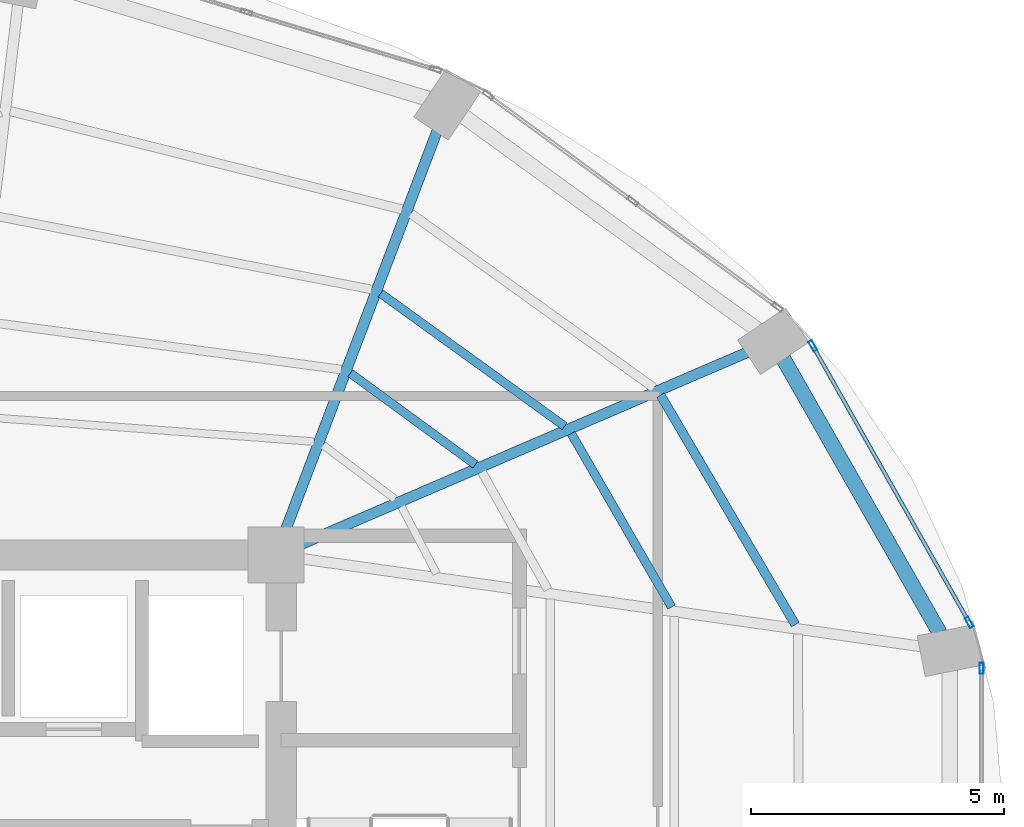
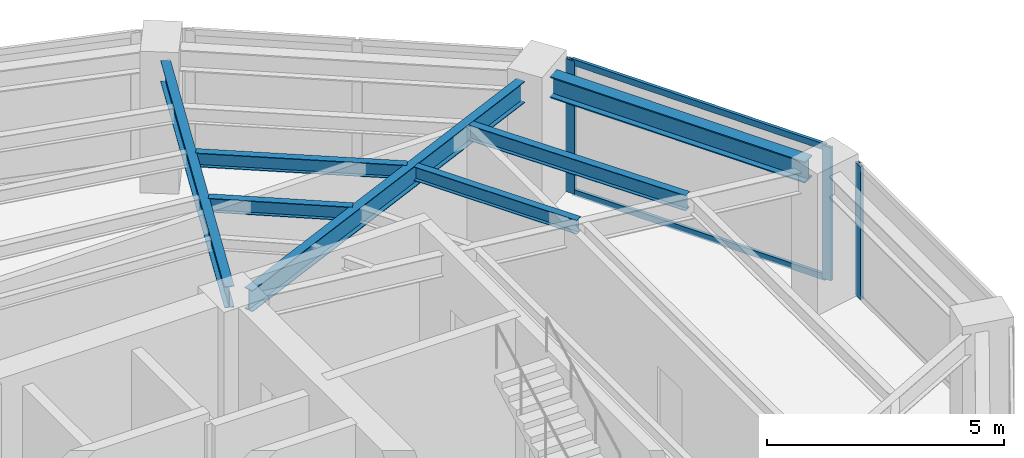
# One storey, part 11 of 20: 7 beams, 5 members, 2 elements without a shape of their own.
"""IFC4 building model written with IfcOpenShell, lengths in metres."""

from ifc_helpers import new_model, si_unit, direction, frame, origin, origin_2d, place, context, subcontext, project, spatial, hollow_rectangle, i_section, extrude, material, layer, layer_set, material_profile, profile_set, type_object, element, aggregate, save


model = new_model("IFC4")

# Units and contexts
model_context = context("Model", 3, precision=1e-05, world=origin(), true_north=direction((0.0, 1.0)))
body_context = subcontext(model_context, "Body", "Model", "MODEL_VIEW")
ifc_project = project(units=[si_unit("LENGTHUNIT", "METRE"), si_unit("AREAUNIT", "SQUARE_METRE"), si_unit("VOLUMEUNIT", "CUBIC_METRE"), si_unit("PLANEANGLEUNIT", "RADIAN"), si_unit("MASSUNIT", "GRAM", prefix="KILO")], contexts=[model_context])

# Site, building, storey
site_placement = place(None, origin())
site = spatial("IfcSite", under=ifc_project, at=site_placement, CompositionType="ELEMENT")
building_placement = place(site_placement, origin())
building = spatial("IfcBuilding", under=site, at=building_placement, Name="Lazwardi Medical Tower", CompositionType="ELEMENT")
storey_placement = place(building_placement, frame((0.0, 0.0, 182.06396484375)))
storey = spatial("IfcBuildingStorey", under=building, at=storey_placement, Name="L47", CompositionType="ELEMENT", Elevation=182.06396484375)

# Beams
ifc_material_1 = material(Name="Steel S355", Category="steel")
ifc_material_profile_1 = material_profile(ifc_material_1, i_section(OverallWidth=0.300048828125, OverallDepth=0.550048828125, WebThickness=0.014892578125, FlangeThickness=0.029052734375, at=origin_2d()), Name="HEB 550")
ifc_profile_set_1 = profile_set([ifc_material_profile_1], Name="Steel S355")
beam_type_1 = type_object("IfcBeamType", Name="BM-RB-Z3", PredefinedType="BEAM", material=ifc_profile_set_1)
beam_1_placement = place(storey_placement, frame((58.727783203125, 34.05908203125, 3.153076171875), z_axis=(-0.495460926326, 0.868630226554, 0.0), x_axis=(-0.868630226554, -0.495460926326, 0.0)))
element("IfcBeam", 1, at=beam_1_placement, inside=storey, type_object=beam_type_1, Name="Ring beam RB-04 B05 L47", PredefinedType="BEAM", context=body_context, shape_type="SweptSolid", body=[
    extrude(i_section(OverallWidth=0.300048828125, OverallDepth=0.550048828125, WebThickness=0.014892578125, FlangeThickness=0.029052734375, at=origin_2d()), origin(), (0.0, 0.0, 1.0), 6.24462890625),
])
ifc_material_profile_2 = material_profile(ifc_material_1, i_section(OverallWidth=0.2099609375, OverallDepth=0.550048828125, WebThickness=0.010986328125, FlangeThickness=0.01708984375, at=origin_2d()), Name="IPE 550")
ifc_profile_set_2 = profile_set([ifc_material_profile_2], Name="Steel S355")
beam_type_2 = type_object("IfcBeamType", Name="BM-RG-W2", PredefinedType="BEAM", material=ifc_profile_set_2)
beam_2_placement = place(storey_placement, frame((54.921142578125, 39.609619140625, 3.153076171875), z_axis=(-0.918608156288, -0.395169653695, 0.0), x_axis=(0.395169653695, -0.918608156288, 0.0)))
element("IfcBeam", 2, at=beam_2_placement, inside=storey, type_object=beam_type_2, Name="Radial girder RG-03 R06 L47", PredefinedType="BEAM", context=body_context, shape_type="SweptSolid", body=[
    extrude(i_section(OverallWidth=0.2099609375, OverallDepth=0.550048828125, WebThickness=0.010986328125, FlangeThickness=0.01708984375, at=origin_2d()), origin(), (0.0, 0.0, 1.0), 9.61181640625),
])
beam_3_placement = place(storey_placement, frame((48.78759765625, 43.99072265625, 3.153076171875), z_axis=(-0.355126771712, -0.934818151307, 0.0), x_axis=(0.934818151307, -0.355126771712, 0.0)))
element("IfcBeam", 3, at=beam_3_placement, inside=storey, type_object=beam_type_2, Name="Radial girder RG-03 R07 L47", PredefinedType="BEAM", context=body_context, shape_type="SweptSolid", body=[
    extrude(i_section(OverallWidth=0.2099609375, OverallDepth=0.550048828125, WebThickness=0.010986328125, FlangeThickness=0.01708984375, at=origin_2d()), origin(), (0.0, 0.0, 1.0), 8.44091796875),
])
ifc_material_profile_3 = material_profile(ifc_material_1, i_section(OverallWidth=0.179931640625, OverallDepth=0.39990234375, WebThickness=0.008544921875, FlangeThickness=0.013427734375, at=origin_2d()), Name="IPE 400")
ifc_profile_set_3 = profile_set([ifc_material_profile_3], Name="Steel S355")
beam_type_3 = type_object("IfcBeamType", Name="BM-SJ-01", PredefinedType="JOIST", material=ifc_profile_set_3)
beam_4_placement = place(storey_placement, frame((55.872314453125, 34.223388671875, 3.22802734375), z_axis=(-0.506420212881, 0.862286824662, 0.0), x_axis=(-0.862286824662, -0.506420212881, 0.0)))
element("IfcBeam", 4, at=beam_4_placement, inside=storey, type_object=beam_type_3, Name="Secondary joist SJ-01 R1 B05 L47", PredefinedType="JOIST", context=body_context, shape_type="SweptSolid", body=[
    extrude(i_section(OverallWidth=0.179931640625, OverallDepth=0.39990234375, WebThickness=0.008544921875, FlangeThickness=0.013427734375, at=origin_2d()), origin(), (0.0, 0.0, 1.0), 5.265380859375),
])
ifc_material_profile_4 = material_profile(ifc_material_1, i_section(OverallWidth=0.169921875, OverallDepth=0.360107421875, WebThickness=0.008056640625, FlangeThickness=0.0126953125, at=origin_2d()), Name="IPE 360")
ifc_profile_set_4 = profile_set([ifc_material_profile_4], Name="Steel S355")
beam_type_4 = type_object("IfcBeamType", Name="BM-SJ-02", PredefinedType="JOIST", material=ifc_profile_set_4)
beam_5_placement = place(storey_placement, frame((53.4248046875, 34.57080078125, 3.248046875), z_axis=(-0.500640648605, 0.865655209055, 0.0), x_axis=(-0.865655209055, -0.500640648605, 0.0)))
element("IfcBeam", 5, at=beam_5_placement, inside=storey, type_object=beam_type_4, Name="Secondary joist SJ-02 R2 B05 L47", PredefinedType="JOIST", context=body_context, shape_type="SweptSolid", body=[
    extrude(i_section(OverallWidth=0.169921875, OverallDepth=0.360107421875, WebThickness=0.008056640625, FlangeThickness=0.0126953125, at=origin_2d()), origin(), (0.0, 0.0, 1.0), 3.965576171875),
])
beam_6_placement = place(storey_placement, frame((51.30810546875, 38.148681640625, 3.248046875), z_axis=(-0.810738039179, 0.585409114917, 0.0), x_axis=(-0.585409114917, -0.810738039179, 0.0)))
element("IfcBeam", 6, at=beam_6_placement, inside=storey, type_object=beam_type_4, Name="Secondary joist SJ-02 R2 B06 L47", PredefinedType="JOIST", context=body_context, shape_type="SweptSolid", body=[
    extrude(i_section(OverallWidth=0.169921875, OverallDepth=0.360107421875, WebThickness=0.008056640625, FlangeThickness=0.0126953125, at=origin_2d()), origin(), (0.0, 0.0, 1.0), 4.48779296875),
])
beam_7_placement = place(storey_placement, frame((49.54248046875, 37.3896484375, 3.248046875), z_axis=(-0.807285959008, 0.590160470033, 0.0), x_axis=(-0.590160470033, -0.807285959008, 0.0)))
element("IfcBeam", 7, at=beam_7_placement, inside=storey, type_object=beam_type_4, Name="Secondary joist SJ-02 R3 B06 L47", PredefinedType="JOIST", context=body_context, shape_type="SweptSolid", body=[
    extrude(i_section(OverallWidth=0.169921875, OverallDepth=0.360107421875, WebThickness=0.008056640625, FlangeThickness=0.0126953125, at=origin_2d()), origin(), (0.0, 0.0, 1.0), 3.06298828125),
])

# Curtain wall, member
ifc_material_2 = material(Name="Anodised bronze aluminium and solar control glazing", Category="aluminium")
ifc_layer = layer(ifc_material_2, 0.195068359375)
ifc_layer_set = layer_set([ifc_layer], Name="Anodised bronze aluminium and solar control glazing")
curtain_wall_type = type_object("IfcCurtainWallType", Name="CW-SYS-03", PredefinedType="NOTDEFINED", material=ifc_layer_set)
curtain_wall_1_placement = place(storey_placement, origin())
curtain_wall_1 = element("IfcCurtainWall", 8, at=curtain_wall_1_placement, inside=storey, type_object=curtain_wall_type, Name="L47 Unitised bronze curtain wall CW-03", PredefinedType="NOTDEFINED")
ifc_material_3 = material(Name="Anodised bronze aluminium", Category="aluminium")
ifc_material_profile_5 = material_profile(ifc_material_3, hollow_rectangle(XDim=0.074951171875, YDim=0.219970703125, WallThickness=0.00390625, at=origin_2d()), Name="ALU-MULLION 220x75x4")
ifc_profile_set_5 = profile_set([ifc_material_profile_5], Name="Anodised bronze aluminium")
member_type_1 = type_object("IfcMemberType", Name="CW-MUL-01", PredefinedType="MULLION", material=ifc_profile_set_5)
member_1_placement = place(storey_placement, frame((59.5576171875, 33.35791015625, 0.0), z_axis=(0.0, 0.0, 1.0), x_axis=(-1.0, 0.0, 0.0)))
member_1 = element("IfcMember", 9, at=member_1_placement, type_object=member_type_1, Name="CW-03 mullion 2", PredefinedType="MULLION", context=body_context, shape_type="SweptSolid", body=[
    extrude(hollow_rectangle(XDim=0.074951171875, YDim=0.219970703125, WallThickness=0.00390625, at=origin_2d()), origin(), (0.0, 0.0, 1.0), 3.427978515625),
])
aggregate(curtain_wall_1, [member_1])

# Curtain wall, members
curtain_wall_2_placement = place(storey_placement, origin())
curtain_wall_2 = element("IfcCurtainWall", 10, at=curtain_wall_2_placement, inside=storey, type_object=curtain_wall_type, Name="L47 Unitised bronze curtain wall CW-03", PredefinedType="NOTDEFINED")
member_2_placement = place(storey_placement, frame((59.31103515625, 34.267333984375, 0.0), z_axis=(0.0, 0.0, 1.0), x_axis=(-0.870418989303, -0.492311672683, 0.0)))
member_2 = element("IfcMember", 11, at=member_2_placement, type_object=member_type_1, Name="CW-03 mullion 1", PredefinedType="MULLION", context=body_context, shape_type="SweptSolid", body=[
    extrude(hollow_rectangle(XDim=0.074951171875, YDim=0.219970703125, WallThickness=0.00390625, at=origin_2d()), origin(), (0.0, 0.0, 1.0), 3.427978515625),
])
member_3_placement = place(storey_placement, frame((56.217529296875, 39.73681640625, 0.0), z_axis=(0.0, 0.0, 1.0), x_axis=(-0.870418989303, -0.492311672683, 0.0)))
member_3 = element("IfcMember", 12, at=member_3_placement, type_object=member_type_1, Name="CW-03 mullion 2", PredefinedType="MULLION", context=body_context, shape_type="SweptSolid", body=[
    extrude(hollow_rectangle(XDim=0.074951171875, YDim=0.219970703125, WallThickness=0.00390625, at=origin_2d()), origin(), (0.0, 0.0, 1.0), 3.427978515625),
])
ifc_material_profile_6 = material_profile(ifc_material_3, hollow_rectangle(XDim=0.074951171875, YDim=0.159912109375, WallThickness=0.00390625, at=origin_2d()), Name="ALU-TRANSOM 160x75x4")
ifc_profile_set_6 = profile_set([ifc_material_profile_6], Name="Anodised bronze aluminium")
member_type_2 = type_object("IfcMemberType", Name="CW-TRN-01", PredefinedType="USERDEFINED", material=ifc_profile_set_6)
member_4_placement = place(storey_placement, frame((59.292724609375, 34.2998046875, 0.03759765625), z_axis=(-0.492306010269, 0.870422191958, 0.0), x_axis=(-0.870422191958, -0.492306010269, 0.0)))
member_4 = element("IfcMember", 13, at=member_4_placement, type_object=member_type_2, Name="CW-03 transom 1.1", ObjectType="TRANSOM", PredefinedType="USERDEFINED", context=body_context, shape_type="SweptSolid", body=[
    extrude(hollow_rectangle(XDim=0.074951171875, YDim=0.159912109375, WallThickness=0.00390625, at=origin_2d()), origin(), (0.0, 0.0, 1.0), 6.208740234375),
])
member_5_placement = place(storey_placement, frame((59.292724609375, 34.2998046875, 3.390625), z_axis=(-0.492306010269, 0.870422191958, 0.0), x_axis=(-0.870422191958, -0.492306010269, 0.0)))
member_5 = element("IfcMember", 14, at=member_5_placement, type_object=member_type_2, Name="CW-03 transom 1.2", ObjectType="TRANSOM", PredefinedType="USERDEFINED", context=body_context, shape_type="SweptSolid", body=[
    extrude(hollow_rectangle(XDim=0.074951171875, YDim=0.159912109375, WallThickness=0.00390625, at=origin_2d()), origin(), (0.0, 0.0, 1.0), 6.208740234375),
])
aggregate(curtain_wall_2, [member_2, member_3, member_4, member_5])

save(model, "model.ifc")
